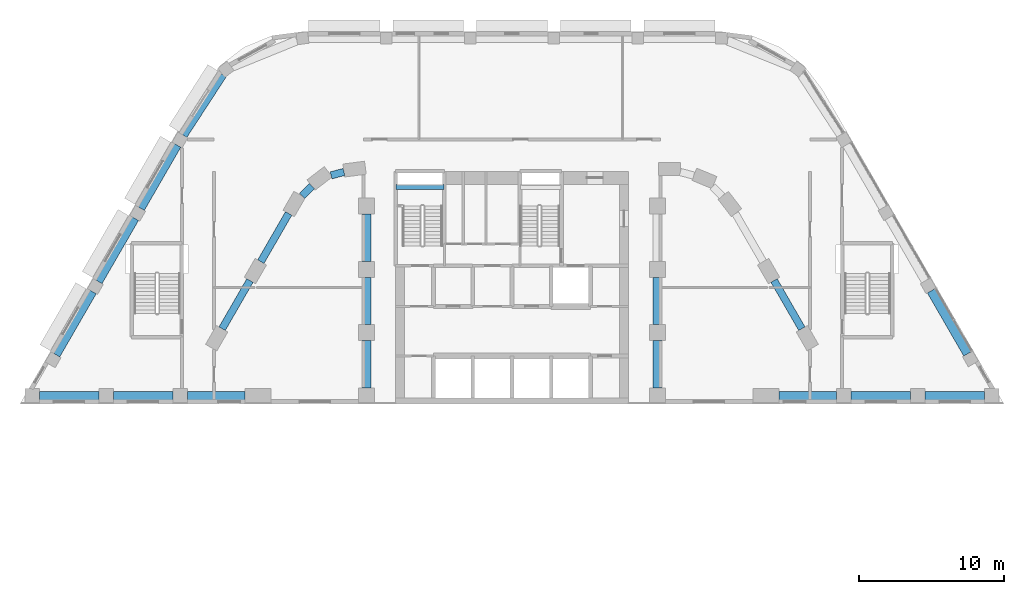
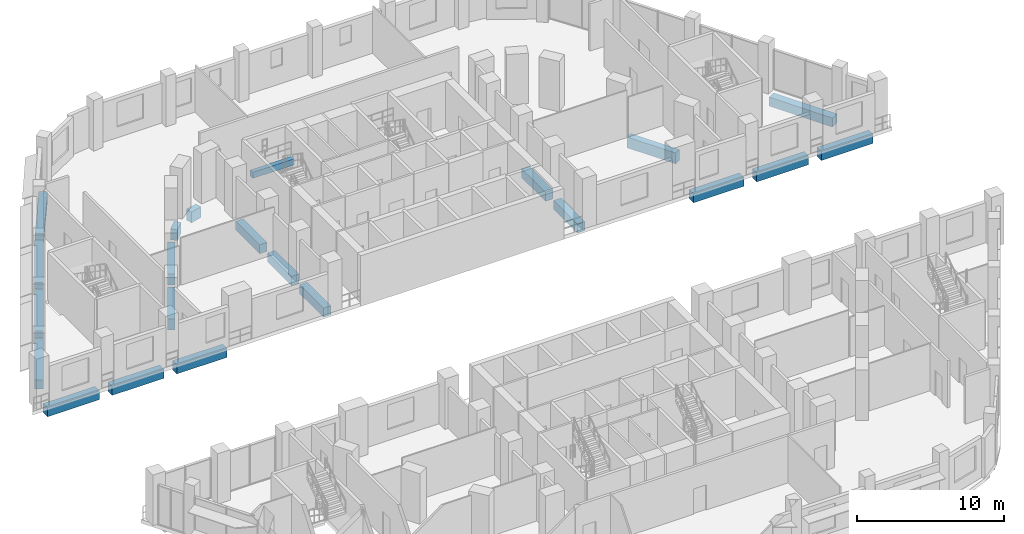
# One storey, part 5 of 22: 22 beams.
"""IFC4 building model written with IfcOpenShell, lengths in metres."""

from ifc_helpers import new_model, si_unit, direction, frame, origin, origin_2d, place, context, subcontext, project, spatial, rectangle, extrude, material, material_profile, profile_set, type_object, element, save


model = new_model("IFC4")

# Units and contexts
model_context = context("Model", 3, precision=1e-05, world=origin(), true_north=direction((0.0, 1.0)))
body_context = subcontext(model_context, "Body", "Model", "MODEL_VIEW")
ifc_project = project(units=[si_unit("LENGTHUNIT", "METRE"), si_unit("AREAUNIT", "SQUARE_METRE"), si_unit("VOLUMEUNIT", "CUBIC_METRE"), si_unit("PLANEANGLEUNIT", "RADIAN"), si_unit("MASSUNIT", "GRAM", prefix="KILO")], contexts=[model_context])

# Site, building, storey
site_placement = place(None, origin())
site = spatial("IfcSite", under=ifc_project, at=site_placement, CompositionType="ELEMENT")
building_placement = place(site_placement, origin())
building = spatial("IfcBuilding", under=site, at=building_placement, Name="Nakaniwa Court", CompositionType="ELEMENT")
storey_placement = place(building_placement, frame((0.0, 0.0, 24.0)))
storey = spatial("IfcBuildingStorey", under=building, at=storey_placement, Name="L05", CompositionType="ELEMENT", Elevation=24.0)

# Beams
ifc_material_1 = material(Name="Concrete C100/115", Category="concrete")
ifc_material_profile_1 = material_profile(ifc_material_1, rectangle(XDim=0.5, YDim=0.89990234375, at=origin_2d()), Name="Concrete C100/115 RC 500x900 spandrel beam")
ifc_profile_set_1 = profile_set([ifc_material_profile_1], Name="Concrete C100/115")
beam_type_1 = type_object("IfcBeamType", Name="Concrete C100/115 RC 500x900 spandrel beam", PredefinedType="BEAM", material=ifc_profile_set_1)
beam_1_placement = place(storey_placement, frame((68.444580078125, 103.35546875, -0.75), z_axis=(-0.966287893493, -0.25746399144, 0.0), x_axis=(0.25746399144, -0.966287893493, 0.0)))
element("IfcBeam", 1, at=beam_1_placement, inside=storey, type_object=beam_type_1, Name="SPANDREL BEAM", PredefinedType="BEAM", context=body_context, shape_type="SweptSolid", body=[
    extrude(rectangle(XDim=0.5, YDim=0.89990234375, at=origin_2d()), origin(), (0.0, 0.0, 1.0), 0.91796875),
])
beam_2_placement = place(storey_placement, frame((66.238525390625, 102.374267578125, -0.75), z_axis=(-0.706081618928, -0.708130459317, 0.0), x_axis=(0.708130459317, -0.706081618928, 0.0)))
element("IfcBeam", 2, at=beam_2_placement, inside=storey, type_object=beam_type_1, Name="SPANDREL BEAM", PredefinedType="BEAM", context=body_context, shape_type="SweptSolid", body=[
    extrude(rectangle(XDim=0.5, YDim=0.89990234375, at=origin_2d()), origin(), (0.0, 0.0, 1.0), 0.953369140625),
])
beam_3_placement = place(storey_placement, frame((64.642578125, 100.5, -0.75), z_axis=(-0.500009674092, -0.866019818373, 0.0), x_axis=(0.866019818373, -0.500009674092, 0.0)))
element("IfcBeam", 3, at=beam_3_placement, inside=storey, type_object=beam_type_1, Name="SPANDREL BEAM", PredefinedType="BEAM", context=body_context, shape_type="SweptSolid", body=[
    extrude(rectangle(XDim=0.5, YDim=0.89990234375, at=origin_2d()), origin(), (0.0, 0.0, 1.0), 3.826171875),
])
for number, where, z_axis, x_axis, name in (
    (4, (61.9794921875, 95.8876953125, -0.75), (-0.499961815444, -0.866047448526, 0.0), (0.866047448526, -0.499961815444, 0.0), "SPANDREL BEAM"),
    (5, (99.933349609375, 92.57421875, -0.75), (-0.499961815444, 0.866047448526, 0.0), (-0.866047448526, -0.499961815444, 0.0), "SPANDREL BEAM"),
):
    element("IfcBeam", number, at=place(storey_placement, frame(where, z_axis=z_axis, x_axis=x_axis)), inside=storey, type_object=beam_type_1, Name=name, PredefinedType="BEAM", context=body_context, shape_type="SweptSolid", body=[
        extrude(rectangle(XDim=0.5, YDim=0.89990234375, at=origin_2d()), origin(), (0.0, 0.0, 1.0), 3.825927734375),
    ])
ifc_material_profile_2 = material_profile(ifc_material_1, rectangle(XDim=0.60009765625, YDim=0.75, at=origin_2d()), Name="Concrete C100/115 RC 600x750 ring beam")
ifc_profile_set_2 = profile_set([ifc_material_profile_2], Name="Concrete C100/115")
beam_type_2 = type_object("IfcBeamType", Name="Concrete C100/115 RC 600x750 ring beam", PredefinedType="BEAM", material=ifc_profile_set_2)
for number, where, z_axis, x_axis, name in (
    (6, (90.0, 88.5, -0.675048828125), (0.0, 1.0, 0.0), (-1.0, 0.0, 0.0), "RING BEAM"),
    (7, (90.0, 92.85009765625, -0.675048828125), (0.0, 1.0, 0.0), (-1.0, 0.0, 0.0), "RING BEAM"),
    (8, (70.0, 100.449951171875, -0.675048828125), (0.0, -1.0, 0.0), (1.0, 0.0, 0.0), "RING BEAM"),
    (9, (70.0, 96.10009765625, -0.675048828125), (0.0, -1.0, 0.0), (1.0, 0.0, 0.0), "RING BEAM"),
    (10, (70.0, 91.75, -0.675048828125), (0.0, -1.0, 0.0), (1.0, 0.0, 0.0), "RING BEAM"),
):
    element("IfcBeam", number, at=place(storey_placement, frame(where, z_axis=z_axis, x_axis=x_axis)), inside=storey, type_object=beam_type_2, Name=name, PredefinedType="BEAM", context=body_context, shape_type="SweptSolid", body=[
        extrude(rectangle(XDim=0.60009765625, YDim=0.75, at=origin_2d()), origin(), (0.0, 0.0, 1.0), 3.25),
    ])
beam_4_placement = place(storey_placement, frame((60.096435546875, 110.05517578125, -0.675048828125), z_axis=(-0.545297150408, -0.838242815512, 0.0), x_axis=(0.838242815512, -0.545297150408, 0.0)))
element("IfcBeam", 11, at=beam_4_placement, inside=storey, type_object=beam_type_2, Name="RING BEAM", PredefinedType="BEAM", context=body_context, shape_type="SweptSolid", body=[
    extrude(rectangle(XDim=0.60009765625, YDim=0.75, at=origin_2d()), origin(), (0.0, 0.0, 1.0), 4.9736328125),
])
for number, where, z_axis, x_axis, name in (
    (12, (56.9658203125, 105.20361328125, -0.675048828125), (-0.499980823911, -0.866036474822, 0.0), (0.866036474822, -0.499980823911, 0.0), "RING BEAM"),
    (13, (54.057373046875, 100.166259765625, -0.675048828125), (-0.499980823911, -0.866036474822, 0.0), (0.866036474822, -0.499980823911, 0.0), "RING BEAM"),
    (14, (51.149169921875, 95.12890625, -0.675048828125), (-0.500017322015, -0.866015402684, 0.0), (0.866015402684, -0.500017322015, 0.0), "RING BEAM"),
):
    element("IfcBeam", number, at=place(storey_placement, frame(where, z_axis=z_axis, x_axis=x_axis)), inside=storey, type_object=beam_type_2, Name=name, PredefinedType="BEAM", context=body_context, shape_type="SweptSolid", body=[
        extrude(rectangle(XDim=0.60009765625, YDim=0.75, at=origin_2d()), origin(), (0.0, 0.0, 1.0), 5.016845703125),
    ])
beam_5_placement = place(storey_placement, frame((111.322998046875, 90.8466796875, -0.675048828125), z_axis=(-0.499960447986, 0.866048237946, 0.0), x_axis=(-0.866048237946, -0.499960447986, 0.0)))
element("IfcBeam", 15, at=beam_5_placement, inside=storey, type_object=beam_type_2, Name="RING BEAM", PredefinedType="BEAM", context=body_context, shape_type="SweptSolid", body=[
    extrude(rectangle(XDim=0.60009765625, YDim=0.75, at=origin_2d()), origin(), (0.0, 0.0, 1.0), 5.00244140625),
])
beam_6_placement = place(storey_placement, frame((47.50390625, 87.949951171875, -0.675048828125), z_axis=(1.0, 0.0, 0.0), x_axis=(0.0, 1.0, 0.0)))
element("IfcBeam", 16, at=beam_6_placement, inside=storey, type_object=beam_type_2, Name="RING BEAM", PredefinedType="BEAM", context=body_context, shape_type="SweptSolid", body=[
    extrude(rectangle(XDim=0.60009765625, YDim=0.75, at=origin_2d()), origin(), (0.0, 0.0, 1.0), 4.087158203125),
])
beam_7_placement = place(storey_placement, frame((52.591064453125, 87.949951171875, -0.675048828125), z_axis=(1.0, 0.0, 0.0), x_axis=(0.0, 1.0, 0.0)))
element("IfcBeam", 17, at=beam_7_placement, inside=storey, type_object=beam_type_2, Name="RING BEAM", PredefinedType="BEAM", context=body_context, shape_type="SweptSolid", body=[
    extrude(rectangle(XDim=0.60009765625, YDim=0.75, at=origin_2d()), origin(), (0.0, 0.0, 1.0), 4.0859375),
])
for number, where, z_axis, x_axis, name in (
    (18, (57.677001953125, 87.949951171875, -0.675048828125), (1.0, 0.0, 0.0), (0.0, 1.0, 0.0), "RING BEAM"),
    (19, (98.35791015625, 87.949951171875, -0.675048828125), (1.0, 0.0, 0.0), (0.0, 1.0, 0.0), "RING BEAM"),
):
    element("IfcBeam", number, at=place(storey_placement, frame(where, z_axis=z_axis, x_axis=x_axis)), inside=storey, type_object=beam_type_2, Name=name, PredefinedType="BEAM", context=body_context, shape_type="SweptSolid", body=[
        extrude(rectangle(XDim=0.60009765625, YDim=0.75, at=origin_2d()), origin(), (0.0, 0.0, 1.0), 3.965087890625),
    ])
beam_8_placement = place(storey_placement, frame((103.322998046875, 87.949951171875, -0.675048828125), z_axis=(1.0, 0.0, 0.0), x_axis=(0.0, 1.0, 0.0)))
element("IfcBeam", 20, at=beam_8_placement, inside=storey, type_object=beam_type_2, Name="RING BEAM", PredefinedType="BEAM", context=body_context, shape_type="SweptSolid", body=[
    extrude(rectangle(XDim=0.60009765625, YDim=0.75, at=origin_2d()), origin(), (0.0, 0.0, 1.0), 4.0859375),
])
beam_9_placement = place(storey_placement, frame((108.408935546875, 87.949951171875, -0.675048828125), z_axis=(1.0, 0.0, 0.0), x_axis=(0.0, 1.0, 0.0)))
element("IfcBeam", 21, at=beam_9_placement, inside=storey, type_object=beam_type_2, Name="RING BEAM", PredefinedType="BEAM", context=body_context, shape_type="SweptSolid", body=[
    extrude(rectangle(XDim=0.60009765625, YDim=0.75, at=origin_2d()), origin(), (0.0, 0.0, 1.0), 4.087158203125),
])
ifc_material_2 = material(Name="Concrete C80/100", Category="concrete")
ifc_material_profile_3 = material_profile(ifc_material_2, rectangle(XDim=0.35009765625, YDim=0.5, at=origin_2d()), Name="Concrete C80/100 RC 350x500 landing ledge beam")
ifc_profile_set_3 = profile_set([ifc_material_profile_3], Name="Concrete C80/100")
beam_type_3 = type_object("IfcBeamType", Name="Concrete C80/100 RC 350x500 landing ledge beam", PredefinedType="BEAM", material=ifc_profile_set_3)
beam_10_placement = place(storey_placement, frame((72.02490234375, 102.324951171875, 1.64990234375), z_axis=(1.0, 0.0, 0.0), x_axis=(0.0, 1.0, 0.0)))
element("IfcBeam", 22, at=beam_10_placement, inside=storey, type_object=beam_type_3, Name="LANDING LEDGE BEAM", PredefinedType="BEAM", context=body_context, shape_type="SweptSolid", body=[
    extrude(rectangle(XDim=0.35009765625, YDim=0.5, at=origin_2d()), origin(), (0.0, 0.0, 1.0), 3.300048828125),
])

save(model, "model.ifc")
